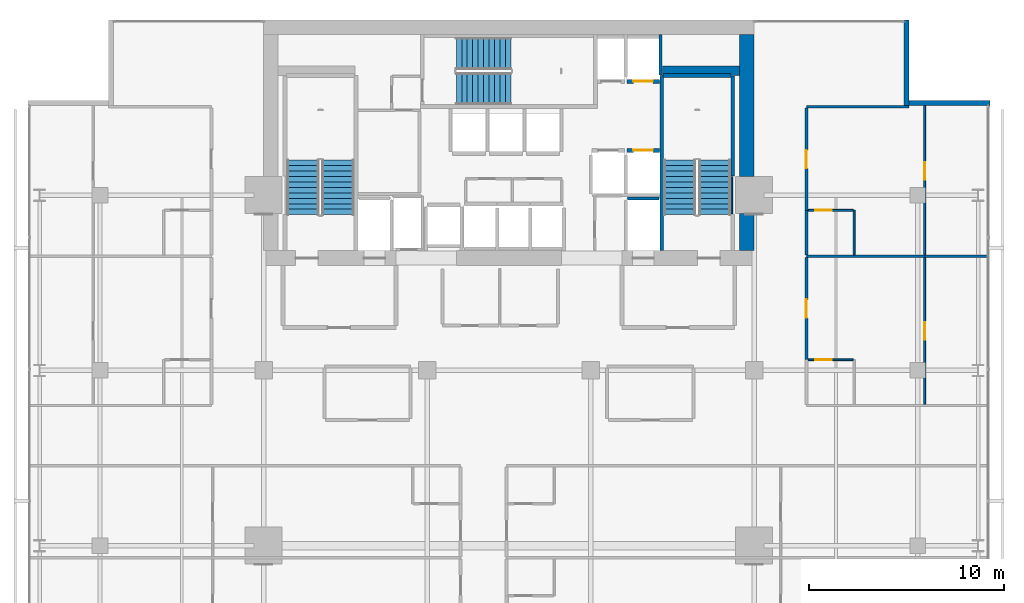
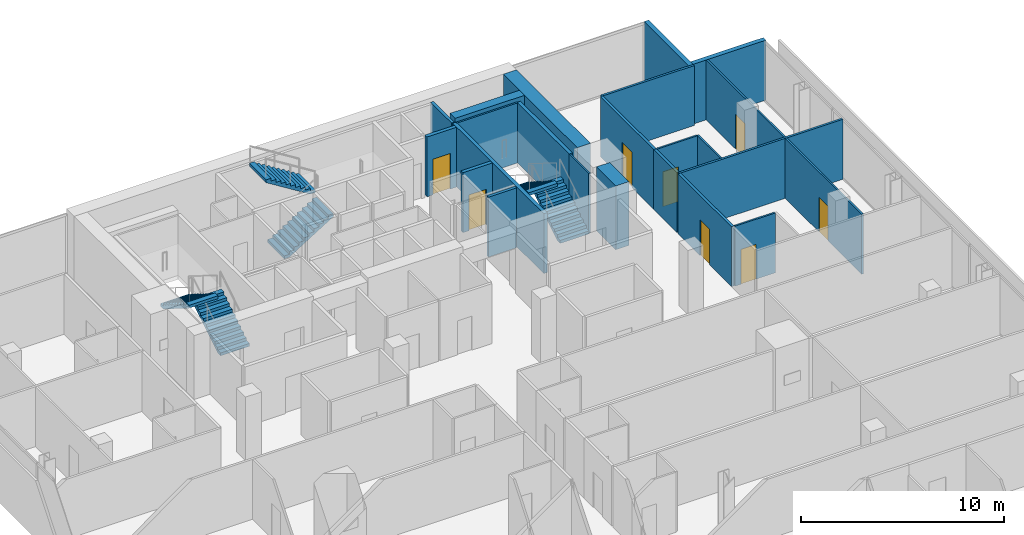
# One storey, part 31 of 34: 23 walls, 8 doors, 6 stair flights, 8 openings, 3 elements without a shape of their own.
"""IFC4 building model written with IfcOpenShell, lengths in metres."""

from ifc_helpers import new_model, si_unit, direction, frame, frame_2d, origin, place, context, subcontext, project, spatial, polyline, rectangle, outline, extrude, material, layer, layer_set, type_object, element, fill, aggregate, save


model = new_model("IFC4")

# Units and contexts
model_context = context("Model", 3, precision=1e-05, world=origin(), true_north=direction((0.0, 1.0)))
body_context = subcontext(model_context, "Body", "Model", "MODEL_VIEW")
ifc_project = project(units=[si_unit("LENGTHUNIT", "METRE"), si_unit("AREAUNIT", "SQUARE_METRE"), si_unit("VOLUMEUNIT", "CUBIC_METRE"), si_unit("PLANEANGLEUNIT", "RADIAN"), si_unit("MASSUNIT", "GRAM", prefix="KILO")], contexts=[model_context])

# Site, building, storey
site_placement = place(None, origin())
site = spatial("IfcSite", under=ifc_project, at=site_placement, CompositionType="ELEMENT")
building_placement = place(site_placement, origin())
building = spatial("IfcBuilding", under=site, at=building_placement, Name="Maruvema Waterfront Hotel and Observation Tower", CompositionType="ELEMENT")
storey_placement = place(building_placement, frame((0.0, 0.0, 146.64990234375)))
storey = spatial("IfcBuildingStorey", under=building, at=storey_placement, Name="L35", CompositionType="ELEMENT", Elevation=146.64990234375)

# Wall, opening, door
ifc_material_1 = material(Name="Twin-stud acoustic gypsum drywall", Category="gypsum")
ifc_layer_1 = layer(ifc_material_1, 0.14990234375, Name="Acoustic Corridor and Suite Demising Wall 150 mm")
ifc_layer_set_1 = layer_set([ifc_layer_1], Name="Twin-stud acoustic gypsum drywall")
wall_type_1 = type_object("IfcWallType", Name="Acoustic Corridor and Suite Demising Wall 150 mm", PredefinedType="PARTITIONING", material=ifc_layer_set_1)
wall_1_placement = place(storey_placement, frame((53.080078125, 36.550048828125, 0.0), z_axis=(0.0, 0.0, 1.0), x_axis=(0.0, 1.0, 0.0)))
wall_1 = element("IfcWall", 1, at=wall_1_placement, inside=storey, type_object=wall_type_1, Name="L35 Room L35-NE1 Corridor Wall 112", PredefinedType="PARTITIONING", context=body_context, shape_type="SweptSolid", body=[
    extrude(rectangle(XDim=5.2587890625, YDim=0.14990234375, at=frame_2d((2.62939453125, 0.0))), origin(), (0.0, 0.0, 1.0), 3.610107421875),
])
opening_1_placement = place(wall_1_placement, frame((2.154296875, 0.0, 0.0)))
opening_1 = element("IfcOpeningElement", 2, at=opening_1_placement, cuts=wall_1, Name="Opening DR-095", PredefinedType="OPENING", context=body_context, shape_type="SweptSolid", body=[
    extrude(rectangle(XDim=0.949951171875, YDim=2.14990234375, at=frame_2d((0.47509765625, 1.074951171875))), frame((0.0, 0.0849609375, 0.0), z_axis=(0.0, -1.0, 0.0), x_axis=(1.0, 0.0, 0.0)), (0.0, 0.0, 1.0), 0.169921875),
])
ifc_material_2 = material(Name="Acoustic solid-core hardwood timber leaf", Category="wood")
door_type_1 = type_object("IfcDoorType", Name="Guestroom Entrance Fire Door 950x2150 mm", OperationType="NOTDEFINED", PredefinedType="DOOR", material=ifc_material_2)
door_1_placement = place(opening_1_placement, frame((0.949951171875, 0.0, 0.0), z_axis=(0.0, 0.0, 1.0), x_axis=(-1.0, 0.0, 0.0)))
door_1 = element("IfcDoor", 3, at=door_1_placement, inside=storey, type_object=door_type_1, Name="L35 Room L35-NE1 Entrance Door", OperationType="SINGLE_SWING_RIGHT", OverallHeight=2.14990234375, OverallWidth=0.949951171875, PredefinedType="DOOR", context=body_context, shape_type="SweptSolid", body=[
    extrude(rectangle(XDim=0.949951171875, YDim=2.14990234375, at=frame_2d((0.47509765625, 1.074951171875))), frame((0.0, 0.02490234375, 0.0), z_axis=(0.0, -1.0, 0.0), x_axis=(1.0, 0.0, 0.0)), (0.0, 0.0, 1.0), 0.050048828125),
])
fill(opening_1, door_1)

# Wall
wall_2_placement = place(storey_placement, frame((53.080078125, 41.9287109375, 0.0), z_axis=(0.0, 0.0, 1.0), x_axis=(0.0, 1.0, 0.0)))
element("IfcWall", 4, at=wall_2_placement, inside=storey, type_object=wall_type_1, Name="L35 Bath L35-NE2 Wall 123", PredefinedType="PARTITIONING", context=body_context, shape_type="SweptSolid", body=[
    extrude(rectangle(XDim=2.2900390625, YDim=0.14990234375, at=frame_2d((1.14501953125, 0.0))), origin(), (0.0, 0.0, 1.0), 3.610107421875),
])

# Wall, opening, door
wall_3_placement = place(storey_placement, frame((53.080078125, 44.21875, 0.0), z_axis=(0.0, 0.0, 1.0), x_axis=(0.0, 1.0, 0.0)))
wall_3 = element("IfcWall", 5, at=wall_3_placement, inside=storey, type_object=wall_type_1, Name="L35 Room L35-NE2 Corridor Wall 124", PredefinedType="PARTITIONING", context=body_context, shape_type="SweptSolid", body=[
    extrude(rectangle(XDim=5.2587890625, YDim=0.14990234375, at=frame_2d((2.62939453125, 0.0))), origin(), (0.0, 0.0, 1.0), 3.610107421875),
])
opening_2_placement = place(wall_3_placement, frame((2.154296875, 0.0, 0.0)))
opening_2 = element("IfcOpeningElement", 6, at=opening_2_placement, cuts=wall_3, Name="Opening DR-095", PredefinedType="OPENING", context=body_context, shape_type="SweptSolid", body=[
    extrude(rectangle(XDim=0.949951171875, YDim=2.14990234375, at=frame_2d((0.47509765625, 1.074951171875))), frame((0.0, 0.0849609375, 0.0), z_axis=(0.0, -1.0, 0.0), x_axis=(1.0, 0.0, 0.0)), (0.0, 0.0, 1.0), 0.169921875),
])
door_2_placement = place(opening_2_placement, frame((0.949951171875, 0.0, 0.0), z_axis=(0.0, 0.0, 1.0), x_axis=(-1.0, 0.0, 0.0)))
door_2 = element("IfcDoor", 7, at=door_2_placement, inside=storey, type_object=door_type_1, Name="L35 Room L35-NE2 Entrance Door", OperationType="SINGLE_SWING_RIGHT", OverallHeight=2.14990234375, OverallWidth=0.949951171875, PredefinedType="DOOR", context=body_context, shape_type="SweptSolid", body=[
    extrude(rectangle(XDim=0.949951171875, YDim=2.14990234375, at=frame_2d((0.47509765625, 1.074951171875))), frame((0.0, 0.02490234375, 0.0), z_axis=(0.0, -1.0, 0.0), x_axis=(1.0, 0.0, 0.0)), (0.0, 0.0, 1.0), 0.050048828125),
])
fill(opening_2, door_2)

# Walls
ifc_material_3 = material(Name="Precast concrete C45/55", Category="concrete")
ifc_layer_2 = layer(ifc_material_3, 0.199951171875, Name="Core Shaft and Stairwell Enclosure Wall 200 mm")
ifc_layer_set_2 = layer_set([ifc_layer_2], Name="Precast concrete C45/55")
wall_type_2 = type_object("IfcWallType", Name="Core Shaft and Stairwell Enclosure Wall 200 mm", PredefinedType="SOLIDWALL", material=ifc_layer_set_2)
wall_4_placement = place(storey_placement, frame((45.64990234375, 42.14990234375, 0.0), z_axis=(0.0, 0.0, 1.0), x_axis=(0.0, 1.0, 0.0)))
element("IfcWall", 8, at=wall_4_placement, inside=storey, type_object=wall_type_2, Name="L35 Stairwell ST-03 West Shaft Wall", PredefinedType="SOLIDWALL", context=body_context, shape_type="SweptSolid", body=[
    extrude(rectangle(XDim=9.0, YDim=0.199951171875, at=frame_2d((4.5, 0.0))), origin(), (0.0, 0.0, 1.0), 3.610107421875),
])
wall_5_placement = place(storey_placement, frame((49.300048828125, 45.97998046875, 0.0), z_axis=(0.0, 0.0, 1.0), x_axis=(0.0, 1.0, 0.0)))
element("IfcWall", 9, at=wall_5_placement, inside=storey, type_object=wall_type_2, Name="L35 Stairwell ST-03 Shaft Lining Wall", PredefinedType="SOLIDWALL", context=body_context, shape_type="SweptSolid", body=[
    extrude(rectangle(XDim=5.14013671875, YDim=0.199951171875, at=frame_2d((2.570068359375, 0.0))), origin(), (0.0, 0.0, 1.0), 3.610107421875),
])
wall_6_placement = place(storey_placement, frame((45.719970703125, 51.14990234375, 0.0), z_axis=(0.0, 0.0, 1.0), x_axis=(1.0, 0.0, 0.0)))
element("IfcWall", 10, at=wall_6_placement, inside=storey, type_object=wall_type_2, Name="L35 Stairwell ST-03 Shaft Lining Wall", PredefinedType="SOLIDWALL", context=body_context, shape_type="SweptSolid", body=[
    extrude(rectangle(XDim=3.5, YDim=0.199951171875, at=frame_2d((1.75, 0.0))), origin(), (0.0, 0.0, 1.0), 3.610107421875),
])

# Wall, opening, door
wall_7_placement = place(storey_placement, frame((43.860107421875, 47.300048828125, 0.0), z_axis=(0.0, 0.0, 1.0), x_axis=(1.0, 0.0, 0.0)))
wall_7 = element("IfcWall", 11, at=wall_7_placement, inside=storey, type_object=wall_type_2, Name="L35 Lift LF-06 Hoistway Front Wall", PredefinedType="SOLIDWALL", context=body_context, shape_type="SweptSolid", body=[
    extrude(rectangle(XDim=1.679931640625, YDim=0.199951171875, at=frame_2d((0.83984375, 0.0))), origin(), (0.0, 0.0, 1.0), 3.610107421875),
])
opening_3_placement = place(wall_7_placement, frame((0.340087890625, 0.0, 0.0)))
opening_3 = element("IfcOpeningElement", 12, at=opening_3_placement, cuts=wall_7, Name="Opening LD-01", PredefinedType="OPENING", context=body_context, shape_type="SweptSolid", body=[
    extrude(rectangle(XDim=1.0, YDim=2.14990234375, at=frame_2d((0.5, 1.074951171875))), frame((0.0, 0.10986328125, 0.0), z_axis=(0.0, -1.0, 0.0), x_axis=(1.0, 0.0, 0.0)), (0.0, 0.0, 1.0), 0.219970703125),
])
ifc_material_4 = material(Name="Brushed stainless steel Grade 316", Category="steel")
door_type_2 = type_object("IfcDoorType", Name="Passenger Lift Sliding Landing Door 1000x2150 mm", OperationType="SLIDING_TO_LEFT", PredefinedType="DOOR", material=ifc_material_4)
door_3_placement = place(opening_3_placement, origin())
door_3 = element("IfcDoor", 13, at=door_3_placement, inside=storey, type_object=door_type_2, Name="L35 Lift LF-06 Sliding Landing Door", OperationType="SLIDING_TO_LEFT", OverallHeight=2.14990234375, OverallWidth=1.0, PredefinedType="DOOR", context=body_context, shape_type="SweptSolid", body=[
    extrude(rectangle(XDim=1.0, YDim=2.14990234375, at=frame_2d((0.5, 1.074951171875))), frame((0.0, 0.02490234375, 0.0), z_axis=(0.0, -1.0, 0.0), x_axis=(1.0, 0.0, 0.0)), (0.0, 0.0, 1.0), 0.050048828125),
])
fill(opening_3, door_3)

wall_8_placement = place(storey_placement, frame((43.860107421875, 50.85009765625, 0.0), z_axis=(0.0, 0.0, 1.0), x_axis=(1.0, 0.0, 0.0)))
wall_8 = element("IfcWall", 14, at=wall_8_placement, inside=storey, type_object=wall_type_2, Name="L35 Lift LF-08 Hoistway Front Wall", PredefinedType="SOLIDWALL", context=body_context, shape_type="SweptSolid", body=[
    extrude(rectangle(XDim=1.679931640625, YDim=0.199951171875, at=frame_2d((0.83984375, 0.0))), origin(), (0.0, 0.0, 1.0), 3.610107421875),
])
opening_4_placement = place(wall_8_placement, frame((0.340087890625, 0.0, 0.0)))
opening_4 = element("IfcOpeningElement", 15, at=opening_4_placement, cuts=wall_8, Name="Opening LD-01", PredefinedType="OPENING", context=body_context, shape_type="SweptSolid", body=[
    extrude(rectangle(XDim=1.0, YDim=2.14990234375, at=frame_2d((0.5, 1.074951171875))), frame((0.0, 0.10986328125, 0.0), z_axis=(0.0, -1.0, 0.0), x_axis=(1.0, 0.0, 0.0)), (0.0, 0.0, 1.0), 0.219970703125),
])
door_4_placement = place(opening_4_placement, frame((1.0, 0.0, 0.0), z_axis=(0.0, 0.0, 1.0), x_axis=(-1.0, 0.0, 0.0)))
door_4 = element("IfcDoor", 16, at=door_4_placement, inside=storey, type_object=door_type_2, Name="L35 Lift LF-08 Sliding Landing Door", OperationType="SLIDING_TO_LEFT", OverallHeight=2.14990234375, OverallWidth=1.0, PredefinedType="DOOR", context=body_context, shape_type="SweptSolid", body=[
    extrude(rectangle(XDim=1.0, YDim=2.14990234375, at=frame_2d((0.5, 1.074951171875))), frame((0.0, 0.02490234375, 0.0), z_axis=(0.0, -1.0, 0.0), x_axis=(1.0, 0.0, 0.0)), (0.0, 0.0, 1.0), 0.050048828125),
])
fill(opening_4, door_4)

# Walls
ifc_material_5 = material(Name="Concrete C70/85", Category="concrete")
ifc_layer_3 = layer(ifc_material_5, 0.5, Name="Core Shear Wall 500 mm")
ifc_layer_set_3 = layer_set([ifc_layer_3], Name="Concrete C70/85")
wall_type_3 = type_object("IfcWallType", Name="Core Shear Wall 500 mm", PredefinedType="SHEAR", material=ifc_layer_set_3)
wall_9_placement = place(storey_placement, frame((45.699951171875, 51.39990234375, 0.0), z_axis=(0.0, 0.0, 1.0), x_axis=(1.0, 0.0, 0.0)))
element("IfcWall", 17, at=wall_9_placement, inside=storey, type_object=wall_type_3, Name="L35 Internal Core Shear Wall NE 500 mm", PredefinedType="SHEAR", context=body_context, shape_type="SweptSolid", body=[
    extrude(rectangle(XDim=3.949951171875, YDim=0.5, at=frame_2d((1.97509765625, 0.0))), origin(), (0.0, 0.0, 1.0), 3.85009765625),
])
ifc_material_6 = material(Name="Concrete C70/85", Category="concrete")
ifc_layer_4 = layer(ifc_material_6, 0.75, Name="Core Shear Wall 750 mm")
ifc_layer_set_4 = layer_set([ifc_layer_4], Name="Concrete C70/85")
wall_type_4 = type_object("IfcWallType", Name="Core Shear Wall 750 mm", PredefinedType="SHEAR", material=ifc_layer_set_4)
wall_10_placement = place(storey_placement, frame((50.02490234375, 42.14990234375, 0.0), z_axis=(0.0, 0.0, 1.0), x_axis=(0.0, 1.0, 0.0)))
element("IfcWall", 18, at=wall_10_placement, inside=storey, type_object=wall_type_4, Name="L35 East-South Core Shear Wall", PredefinedType="SHEAR", context=body_context, shape_type="SweptSolid", body=[
    extrude(rectangle(XDim=1.900146484375, YDim=0.75, at=frame_2d((0.9501953125, 0.0))), origin(), (0.0, 0.0, 1.0), 3.85009765625),
])
wall_11_placement = place(storey_placement, frame((50.02490234375, 45.949951171875, 0.0), z_axis=(0.0, 0.0, 1.0), x_axis=(0.0, 1.0, 0.0)))
element("IfcWall", 19, at=wall_11_placement, inside=storey, type_object=wall_type_4, Name="L35 East-North Core Shear Wall", PredefinedType="SHEAR", context=body_context, shape_type="SweptSolid", body=[
    extrude(rectangle(XDim=7.300048828125, YDim=0.75, at=frame_2d((3.64990234375, 0.0))), origin(), (0.0, 0.0, 1.0), 3.85009765625),
])

# Wall, opening, door
ifc_material_7 = material(Name="Moisture-resistant cement-board drywall", Category="gypsum")
ifc_layer_5 = layer(ifc_material_7, 0.10009765625, Name="En-Suite Moisture-Resistant Partition 100 mm")
ifc_layer_set_5 = layer_set([ifc_layer_5], Name="Moisture-resistant cement-board drywall")
wall_type_5 = type_object("IfcWallType", Name="En-Suite Moisture-Resistant Partition 100 mm", PredefinedType="PARTITIONING", material=ifc_layer_set_5)
wall_12_placement = place(storey_placement, frame((53.179931640625, 36.550048828125, 0.0), z_axis=(0.0, 0.0, 1.0), x_axis=(1.0, 0.0, 0.0)))
wall_12 = element("IfcWall", 20, at=wall_12_placement, inside=storey, type_object=wall_type_5, Name="L35 En-Suite L35-NE1 N 114", PredefinedType="PARTITIONING", context=body_context, shape_type="SweptSolid", body=[
    extrude(rectangle(XDim=2.300048828125, YDim=0.10009765625, at=frame_2d((1.14990234375, 0.0))), origin(), (0.0, 0.0, 1.0), 3.610107421875),
])
opening_5_placement = place(wall_12_placement, frame((0.35009765625, 0.0, 0.0)))
opening_5 = element("IfcOpeningElement", 21, at=opening_5_placement, cuts=wall_12, Name="Opening DR-085", PredefinedType="OPENING", context=body_context, shape_type="SweptSolid", body=[
    extrude(rectangle(XDim=0.85009765625, YDim=2.10009765625, at=frame_2d((0.425048828125, 1.050048828125))), frame((0.0, 0.06005859375, 0.0), z_axis=(0.0, -1.0, 0.0), x_axis=(1.0, 0.0, 0.0)), (0.0, 0.0, 1.0), 0.1201171875),
])
ifc_material_8 = material(Name="Moisture-resistant solid timber leaf", Category="wood")
door_type_3 = type_object("IfcDoorType", Name="En-Suite Bathroom Door 850x2100 mm", OperationType="NOTDEFINED", PredefinedType="DOOR", material=ifc_material_8)
door_5_placement = place(opening_5_placement, origin())
door_5 = element("IfcDoor", 22, at=door_5_placement, inside=storey, type_object=door_type_3, Name="L35 En-Suite L35-NE1 Door", OperationType="SINGLE_SWING_LEFT", OverallHeight=2.10009765625, OverallWidth=0.85009765625, PredefinedType="DOOR", context=body_context, shape_type="SweptSolid", body=[
    extrude(rectangle(XDim=0.85009765625, YDim=2.10009765625, at=frame_2d((0.425048828125, 1.050048828125))), frame((0.0, 0.02490234375, 0.0), z_axis=(0.0, -1.0, 0.0), x_axis=(1.0, 0.0, 0.0)), (0.0, 0.0, 1.0), 0.050048828125),
])
fill(opening_5, door_5)

wall_13_placement = place(storey_placement, frame((59.154296875, 34.260009765625, 0.0), z_axis=(0.0, 0.0, 1.0), x_axis=(0.0, 1.0, 0.0)))
wall_13 = element("IfcWall", 23, at=wall_13_placement, inside=storey, type_object=wall_type_5, Name="L35 Suite L35-NE1 Split 115", PredefinedType="PARTITIONING", context=body_context, shape_type="SweptSolid", body=[
    extrude(rectangle(XDim=7.548828125, YDim=0.10009765625, at=frame_2d((3.7744140625, 0.0))), origin(), (0.0, 0.0, 1.0), 3.610107421875),
])
opening_6_placement = place(wall_13_placement, frame((3.324462890625, 0.0, 0.0)))
opening_6 = element("IfcOpeningElement", 24, at=opening_6_placement, cuts=wall_13, Name="Opening DR-090", PredefinedType="OPENING", context=body_context, shape_type="SweptSolid", body=[
    extrude(rectangle(XDim=0.89990234375, YDim=2.10009765625, at=frame_2d((0.449951171875, 1.050048828125))), frame((0.0, 0.06005859375, 0.0), z_axis=(0.0, -1.0, 0.0), x_axis=(1.0, 0.0, 0.0)), (0.0, 0.0, 1.0), 0.1201171875),
])
ifc_material_9 = material(Name="Solid-core lacquered timber leaf", Category="wood")
door_type_4 = type_object("IfcDoorType", Name="Accessible Toilet and Room Door 900x2100 mm", OperationType="NOTDEFINED", PredefinedType="DOOR", material=ifc_material_9)
door_6_placement = place(opening_6_placement, frame((0.89990234375, 0.0, 0.0), z_axis=(0.0, 0.0, 1.0), x_axis=(-1.0, 0.0, 0.0)))
door_6 = element("IfcDoor", 25, at=door_6_placement, inside=storey, type_object=door_type_4, Name="L35 Suite L35-NE1 Bedroom Door", OperationType="SINGLE_SWING_LEFT", OverallHeight=2.10009765625, OverallWidth=0.89990234375, PredefinedType="DOOR", context=body_context, shape_type="SweptSolid", body=[
    extrude(rectangle(XDim=0.89990234375, YDim=2.10009765625, at=frame_2d((0.449951171875, 1.050048828125))), frame((0.0, 0.02490234375, 0.0), z_axis=(0.0, -1.0, 0.0), x_axis=(1.0, 0.0, 0.0)), (0.0, 0.0, 1.0), 0.050048828125),
])
fill(opening_6, door_6)

# Wall
wall_14_placement = place(storey_placement, frame((55.530029296875, 41.9287109375, 0.0), z_axis=(0.0, 0.0, 1.0), x_axis=(0.0, 1.0, 0.0)))
element("IfcWall", 26, at=wall_14_placement, inside=storey, type_object=wall_type_5, Name="L35 En-Suite L35-NE2 E 125", PredefinedType="PARTITIONING", context=body_context, shape_type="SweptSolid", body=[
    extrude(rectangle(XDim=2.2900390625, YDim=0.10009765625, at=frame_2d((1.14501953125, 0.0))), origin(), (0.0, 0.0, 1.0), 3.610107421875),
])

# Wall, opening, door
wall_15_placement = place(storey_placement, frame((53.179931640625, 44.21875, 0.0), z_axis=(0.0, 0.0, 1.0), x_axis=(1.0, 0.0, 0.0)))
wall_15 = element("IfcWall", 27, at=wall_15_placement, inside=storey, type_object=wall_type_5, Name="L35 En-Suite L35-NE2 N 126", PredefinedType="PARTITIONING", context=body_context, shape_type="SweptSolid", body=[
    extrude(rectangle(XDim=2.300048828125, YDim=0.10009765625, at=frame_2d((1.14990234375, 0.0))), origin(), (0.0, 0.0, 1.0), 3.610107421875),
])
opening_7_placement = place(wall_15_placement, frame((0.35009765625, 0.0, 0.0)))
opening_7 = element("IfcOpeningElement", 28, at=opening_7_placement, cuts=wall_15, Name="Opening DR-085", PredefinedType="OPENING", context=body_context, shape_type="SweptSolid", body=[
    extrude(rectangle(XDim=0.85009765625, YDim=2.10009765625, at=frame_2d((0.425048828125, 1.050048828125))), frame((0.0, 0.06005859375, 0.0), z_axis=(0.0, -1.0, 0.0), x_axis=(1.0, 0.0, 0.0)), (0.0, 0.0, 1.0), 0.1201171875),
])
door_7_placement = place(opening_7_placement, origin())
door_7 = element("IfcDoor", 29, at=door_7_placement, inside=storey, type_object=door_type_3, Name="L35 En-Suite L35-NE2 Door", OperationType="SINGLE_SWING_LEFT", OverallHeight=2.10009765625, OverallWidth=0.85009765625, PredefinedType="DOOR", context=body_context, shape_type="SweptSolid", body=[
    extrude(rectangle(XDim=0.85009765625, YDim=2.10009765625, at=frame_2d((0.425048828125, 1.050048828125))), frame((0.0, 0.02490234375, 0.0), z_axis=(0.0, -1.0, 0.0), x_axis=(1.0, 0.0, 0.0)), (0.0, 0.0, 1.0), 0.050048828125),
])
fill(opening_7, door_7)

wall_16_placement = place(storey_placement, frame((59.154296875, 41.9287109375, 0.0), z_axis=(0.0, 0.0, 1.0), x_axis=(0.0, 1.0, 0.0)))
wall_16 = element("IfcWall", 30, at=wall_16_placement, inside=storey, type_object=wall_type_5, Name="L35 Suite L35-NE2 Split 127", PredefinedType="PARTITIONING", context=body_context, shape_type="SweptSolid", body=[
    extrude(rectangle(XDim=7.668701171875, YDim=0.10009765625, at=frame_2d((3.83447265625, 0.0))), origin(), (0.0, 0.0, 1.0), 3.610107421875),
])
opening_8_placement = place(wall_16_placement, frame((3.8642578125, 0.0, 0.0)))
opening_8 = element("IfcOpeningElement", 31, at=opening_8_placement, cuts=wall_16, Name="Opening DR-090", PredefinedType="OPENING", context=body_context, shape_type="SweptSolid", body=[
    extrude(rectangle(XDim=0.89990234375, YDim=2.10009765625, at=frame_2d((0.449951171875, 1.050048828125))), frame((0.0, 0.06005859375, 0.0), z_axis=(0.0, -1.0, 0.0), x_axis=(1.0, 0.0, 0.0)), (0.0, 0.0, 1.0), 0.1201171875),
])
door_8_placement = place(opening_8_placement, frame((0.89990234375, 0.0, 0.0), z_axis=(0.0, 0.0, 1.0), x_axis=(-1.0, 0.0, 0.0)))
door_8 = element("IfcDoor", 32, at=door_8_placement, inside=storey, type_object=door_type_4, Name="L35 Suite L35-NE2 Bedroom Door", OperationType="SINGLE_SWING_LEFT", OverallHeight=2.10009765625, OverallWidth=0.89990234375, PredefinedType="DOOR", context=body_context, shape_type="SweptSolid", body=[
    extrude(rectangle(XDim=0.89990234375, YDim=2.10009765625, at=frame_2d((0.449951171875, 1.050048828125))), frame((0.0, 0.02490234375, 0.0), z_axis=(0.0, -1.0, 0.0), x_axis=(1.0, 0.0, 0.0)), (0.0, 0.0, 1.0), 0.050048828125),
])
fill(opening_8, door_8)

# Walls
ifc_material_10 = material(Name="Precast concrete C45/55 with honed Pernambuco granite facing", Category="masonry")
ifc_layer_6 = layer(ifc_material_10, 0.260009765625, Name="Exterior Granite Clad Spandrel and Pier Wall 260 mm")
ifc_layer_set_6 = layer_set([ifc_layer_6], Name="Precast concrete C45/55 with honed Pernambuco granite facing")
wall_type_6 = type_object("IfcWallType", Name="Exterior Granite Clad Spandrel and Pier Wall 260 mm", PredefinedType="SOLIDWALL", material=ifc_layer_set_6)
for number, where, z_axis, x_axis, name in (
    (33, (58.22998046875, 54.0, 0.0), (0.0, 0.0, 1.0), (0.0, -1.0, 0.0), "L35 Corner Notch Granite Pier Wall NE1"),
    (34, (58.10009765625, 49.72998046875, 0.0), (0.0, 0.0, 1.0), (1.0, 0.0, 0.0), "L35 Corner Notch Granite Pier Wall NE2"),
):
    element("IfcWall", number, at=place(storey_placement, frame(where, z_axis=z_axis, x_axis=x_axis)), inside=storey, type_object=wall_type_6, Name=name, PredefinedType="SOLIDWALL", context=body_context, shape_type="SweptSolid", body=[
        extrude(rectangle(XDim=4.39990234375, YDim=0.260009765625, at=frame_2d((2.199951171875, 0.0))), origin(), (0.0, 0.0, 1.0), 3.610107421875),
    ])
ifc_material_11 = material(Name="Acoustic gypsum plasterboard drywall", Category="gypsum")
ifc_layer_7 = layer(ifc_material_11, 0.125, Name="Guestroom Acoustic Demising Wall 125 mm")
ifc_layer_set_7 = layer_set([ifc_layer_7], Name="Acoustic gypsum plasterboard drywall")
wall_type_7 = type_object("IfcWallType", Name="Guestroom Acoustic Demising Wall 125 mm", PredefinedType="PARTITIONING", material=ifc_layer_set_7)
wall_17_placement = place(storey_placement, frame((53.080078125, 49.53759765625, 0.0), z_axis=(0.0, 0.0, 1.0), x_axis=(1.0, 0.0, 0.0)))
element("IfcWall", 35, at=wall_17_placement, inside=storey, type_object=wall_type_7, Name="L35 Z2 NE Top End 105", PredefinedType="PARTITIONING", context=body_context, shape_type="SweptSolid", body=[
    extrude(rectangle(XDim=5.280029296875, YDim=0.125, at=frame_2d((2.64013671875, 0.0))), origin(), (0.0, 0.0, 1.0), 3.610107421875),
])
wall_18_placement = place(storey_placement, frame((53.080078125, 41.868896484375, 0.0), z_axis=(0.0, 0.0, 1.0), x_axis=(1.0, 0.0, 0.0)))
element("IfcWall", 36, at=wall_18_placement, inside=storey, type_object=wall_type_7, Name="L35 Z2 NE Demising 2 117", PredefinedType="PARTITIONING", context=body_context, shape_type="SweptSolid", body=[
    extrude(rectangle(XDim=9.31982421875, YDim=0.125, at=frame_2d((4.659912109375, 0.0))), origin(), (0.0, 0.0, 1.0), 3.610107421875),
])
ifc_material_12 = material(Name="Precast concrete C45/55", Category="concrete")
ifc_layer_8 = layer(ifc_material_12, 0.159912109375, Name="Lift Hoistway Divider Wall 160 mm")
ifc_layer_set_8 = layer_set([ifc_layer_8], Name="Precast concrete C45/55")
wall_type_8 = type_object("IfcWallType", Name="Lift Hoistway Divider Wall 160 mm", PredefinedType="SOLIDWALL", material=ifc_layer_set_8)
wall_19_placement = place(storey_placement, frame((43.89990234375, 44.830078125, 0.0), z_axis=(0.0, 0.0, 1.0), x_axis=(1.0, 0.0, 0.0)))
element("IfcWall", 37, at=wall_19_placement, inside=storey, type_object=wall_type_8, Name="L35 Lift FL-02 Rear Hoistway Wall", PredefinedType="SOLIDWALL", context=body_context, shape_type="SweptSolid", body=[
    extrude(rectangle(XDim=1.60009765625, YDim=0.159912109375, at=frame_2d((0.800048828125, 0.0))), origin(), (0.0, 0.0, 1.0), 3.610107421875),
])
wall_20_placement = place(storey_placement, frame((45.590087890625, 51.179931640625, 0.0), z_axis=(0.0, 0.0, 1.0), x_axis=(0.0, 1.0, 0.0)))
element("IfcWall", 38, at=wall_20_placement, inside=storey, type_object=wall_type_8, Name="L35 Hoistway Divider Wall", PredefinedType="SOLIDWALL", context=body_context, shape_type="SweptSolid", body=[
    extrude(rectangle(XDim=2.070068359375, YDim=0.159912109375, at=frame_2d((1.03515625, 0.0))), origin(), (0.0, 0.0, 1.0), 3.610107421875),
])
ifc_material_13 = material(Name="Precast concrete C45/55", Category="concrete")
ifc_layer_9 = layer(ifc_material_13, 0.10009765625, Name="Stairwell Stringer Cheek Wall 100 mm")
ifc_layer_set_9 = layer_set([ifc_layer_9], Name="Precast concrete C45/55")
wall_type_9 = type_object("IfcWallType", Name="Stairwell Stringer Cheek Wall 100 mm", PredefinedType="SOLIDWALL", material=ifc_layer_set_9)
wall_21_placement = place(storey_placement, frame((49.248046875, 44.0400390625, 0.0), z_axis=(0.0, 0.0, 1.0), x_axis=(0.0, 1.0, 0.0)))
element("IfcWall", 39, at=wall_21_placement, inside=storey, type_object=wall_type_9, Name="L35 Stairwell ST-03 Mega-Column Cheek Wall", PredefinedType="SOLIDWALL", context=body_context, shape_type="SweptSolid", body=[
    extrude(rectangle(XDim=1.919921875, YDim=0.10009765625, at=frame_2d((0.9599609375, 0.0))), origin(), (0.0, 0.0, 1.0), 3.610107421875),
])

# Stair, stair flights
ifc_material_14 = material(Name="Concrete C50/60", Category="concrete")
stair_type = type_object("IfcStairType", Name="Dogleg Exit Stair 1650 mm (22R x 175.0 mm)", PredefinedType="HALF_TURN_STAIR", material=ifc_material_14)
stair_1_placement = place(storey_placement, origin())
stair_1 = element("IfcStair", 40, at=stair_1_placement, inside=storey, type_object=stair_type, Name="L35 ST-01", PredefinedType="HALF_TURN_STAIR")
ifc_material_15 = material(Name="Concrete C50/60", Category="concrete")
stair_flight_type = type_object("IfcStairFlightType", Name="Reinforced Concrete Stair Flight 1650 mm (11R x 175.0 mm)", PredefinedType="STRAIGHT", material=ifc_material_15)
stair_flight_1_placement = place(storey_placement, frame((29.02490234375, 44.0, 0.0), z_axis=(0.0, 0.0, 1.0), x_axis=(0.0, 1.0, 0.0)))
stair_flight_1 = element("IfcStairFlight", 41, at=stair_flight_1_placement, type_object=stair_flight_type, Name="ST-01 flight 1", NumberOfRisers=11, NumberOfTreads=10, PredefinedType="STRAIGHT", RiserHeight=0.175, TreadLength=0.28, context=body_context, shape_type="SweptSolid", body=[
    extrude(outline(polyline([(0.0, 0.0), (0.0, 0.175048828125), (0.280029296875, 0.175048828125), (0.280029296875, 0.35009765625), (0.56005859375, 0.35009765625), (0.56005859375, 0.52490234375), (0.840087890625, 0.52490234375), (0.840087890625, 0.699951171875), (1.1201171875, 0.699951171875), (1.1201171875, 0.875), (1.39990234375, 0.875), (1.39990234375, 1.050048828125), (1.679931640625, 1.050048828125), (1.679931640625, 1.22509765625), (1.9599609375, 1.22509765625), (1.9599609375, 1.39990234375), (2.239990234375, 1.39990234375), (2.239990234375, 1.574951171875), (2.52001953125, 1.574951171875), (2.52001953125, 1.75), (2.800048828125, 1.75), (2.800048828125, 1.925048828125), (2.800048828125, 1.5732421875), (0.28271484375, 0.0), (0.0, 0.0)])), frame((0.0, 0.824951171875, 0.0), z_axis=(0.0, -1.0, 0.0), x_axis=(1.0, 0.0, 0.0)), (0.0, 0.0, 1.0), 1.64990234375),
])
stair_flight_2_placement = place(storey_placement, frame((27.22509765625, 46.800048828125, 1.925048828125), z_axis=(0.0, 0.0, 1.0), x_axis=(0.0, -1.0, 0.0)))
stair_flight_2 = element("IfcStairFlight", 42, at=stair_flight_2_placement, type_object=stair_flight_type, Name="ST-01 flight 2", NumberOfRisers=11, NumberOfTreads=10, PredefinedType="STRAIGHT", RiserHeight=0.175, TreadLength=0.28, context=body_context, shape_type="SweptSolid", body=[
    extrude(outline(polyline([(0.0, 0.0), (0.0, 0.175048828125), (0.280029296875, 0.175048828125), (0.280029296875, 0.35009765625), (0.56005859375, 0.35009765625), (0.56005859375, 0.52490234375), (0.840087890625, 0.52490234375), (0.840087890625, 0.699951171875), (1.1201171875, 0.699951171875), (1.1201171875, 0.875), (1.39990234375, 0.875), (1.39990234375, 1.050048828125), (1.679931640625, 1.050048828125), (1.679931640625, 1.22509765625), (1.9599609375, 1.22509765625), (1.9599609375, 1.39990234375), (2.239990234375, 1.39990234375), (2.239990234375, 1.574951171875), (2.52001953125, 1.574951171875), (2.52001953125, 1.75), (2.800048828125, 1.75), (2.800048828125, 1.925048828125), (2.800048828125, 1.5732421875), (0.28271484375, 0.0), (0.0, 0.0)])), frame((0.0, 0.824951171875, 0.0), z_axis=(0.0, -1.0, 0.0), x_axis=(1.0, 0.0, 0.0)), (0.0, 0.0, 1.0), 1.64990234375),
])
aggregate(stair_1, [stair_flight_1, stair_flight_2])

stair_2_placement = place(storey_placement, origin())
stair_2 = element("IfcStair", 43, at=stair_2_placement, inside=storey, type_object=stair_type, Name="L35 ST-02", PredefinedType="HALF_TURN_STAIR")
stair_flight_3_placement = place(storey_placement, frame((35.10009765625, 50.47509765625, 0.0), z_axis=(0.0, 0.0, 1.0), x_axis=(1.0, 0.0, 0.0)))
stair_flight_3 = element("IfcStairFlight", 44, at=stair_flight_3_placement, type_object=stair_flight_type, Name="ST-02 flight 1", NumberOfRisers=11, NumberOfTreads=10, PredefinedType="STRAIGHT", RiserHeight=0.175, TreadLength=0.28, context=body_context, shape_type="SweptSolid", body=[
    extrude(outline(polyline([(0.0, 0.0), (0.0, 0.175048828125), (0.280029296875, 0.175048828125), (0.280029296875, 0.35009765625), (0.56005859375, 0.35009765625), (0.56005859375, 0.52490234375), (0.840087890625, 0.52490234375), (0.840087890625, 0.699951171875), (1.1201171875, 0.699951171875), (1.1201171875, 0.875), (1.39990234375, 0.875), (1.39990234375, 1.050048828125), (1.679931640625, 1.050048828125), (1.679931640625, 1.22509765625), (1.9599609375, 1.22509765625), (1.9599609375, 1.39990234375), (2.239990234375, 1.39990234375), (2.239990234375, 1.574951171875), (2.52001953125, 1.574951171875), (2.52001953125, 1.75), (2.800048828125, 1.75), (2.800048828125, 1.925048828125), (2.800048828125, 1.5732421875), (0.28271484375, 0.0), (0.0, 0.0)])), frame((0.0, 0.824951171875, 0.0), z_axis=(0.0, -1.0, 0.0), x_axis=(1.0, 0.0, 0.0)), (0.0, 0.0, 1.0), 1.64990234375),
])
stair_flight_4_placement = place(storey_placement, frame((37.89990234375, 52.27490234375, 1.925048828125), z_axis=(0.0, 0.0, 1.0), x_axis=(-1.0, 0.0, 0.0)))
stair_flight_4 = element("IfcStairFlight", 45, at=stair_flight_4_placement, type_object=stair_flight_type, Name="ST-02 flight 2", NumberOfRisers=11, NumberOfTreads=10, PredefinedType="STRAIGHT", RiserHeight=0.175, TreadLength=0.28, context=body_context, shape_type="SweptSolid", body=[
    extrude(outline(polyline([(0.0, 0.0), (0.0, 0.175048828125), (0.280029296875, 0.175048828125), (0.280029296875, 0.35009765625), (0.56005859375, 0.35009765625), (0.56005859375, 0.52490234375), (0.840087890625, 0.52490234375), (0.840087890625, 0.699951171875), (1.1201171875, 0.699951171875), (1.1201171875, 0.875), (1.39990234375, 0.875), (1.39990234375, 1.050048828125), (1.679931640625, 1.050048828125), (1.679931640625, 1.22509765625), (1.9599609375, 1.22509765625), (1.9599609375, 1.39990234375), (2.239990234375, 1.39990234375), (2.239990234375, 1.574951171875), (2.52001953125, 1.574951171875), (2.52001953125, 1.75), (2.800048828125, 1.75), (2.800048828125, 1.925048828125), (2.800048828125, 1.5732421875), (0.28271484375, 0.0), (0.0, 0.0)])), frame((0.0, 0.824951171875, 0.0), z_axis=(0.0, -1.0, 0.0), x_axis=(1.0, 0.0, 0.0)), (0.0, 0.0, 1.0), 1.64990234375),
])
aggregate(stair_2, [stair_flight_3, stair_flight_4])

stair_3_placement = place(storey_placement, origin())
stair_3 = element("IfcStair", 46, at=stair_3_placement, inside=storey, type_object=stair_type, Name="L35 ST-03", PredefinedType="HALF_TURN_STAIR")
stair_flight_5_placement = place(storey_placement, frame((48.375, 44.0, 0.0), z_axis=(0.0, 0.0, 1.0), x_axis=(0.0, 1.0, 0.0)))
stair_flight_5 = element("IfcStairFlight", 47, at=stair_flight_5_placement, type_object=stair_flight_type, Name="ST-03 flight 1", NumberOfRisers=11, NumberOfTreads=10, PredefinedType="STRAIGHT", RiserHeight=0.175, TreadLength=0.28, context=body_context, shape_type="SweptSolid", body=[
    extrude(outline(polyline([(0.0, 0.0), (0.0, 0.175048828125), (0.280029296875, 0.175048828125), (0.280029296875, 0.35009765625), (0.56005859375, 0.35009765625), (0.56005859375, 0.52490234375), (0.840087890625, 0.52490234375), (0.840087890625, 0.699951171875), (1.1201171875, 0.699951171875), (1.1201171875, 0.875), (1.39990234375, 0.875), (1.39990234375, 1.050048828125), (1.679931640625, 1.050048828125), (1.679931640625, 1.22509765625), (1.9599609375, 1.22509765625), (1.9599609375, 1.39990234375), (2.239990234375, 1.39990234375), (2.239990234375, 1.574951171875), (2.52001953125, 1.574951171875), (2.52001953125, 1.75), (2.800048828125, 1.75), (2.800048828125, 1.925048828125), (2.800048828125, 1.5732421875), (0.28271484375, 0.0), (0.0, 0.0)])), frame((0.0, 0.824951171875, 0.0), z_axis=(0.0, -1.0, 0.0), x_axis=(1.0, 0.0, 0.0)), (0.0, 0.0, 1.0), 1.64990234375),
])
stair_flight_6_placement = place(storey_placement, frame((46.574951171875, 46.800048828125, 1.925048828125), z_axis=(0.0, 0.0, 1.0), x_axis=(0.0, -1.0, 0.0)))
stair_flight_6 = element("IfcStairFlight", 48, at=stair_flight_6_placement, type_object=stair_flight_type, Name="ST-03 flight 2", NumberOfRisers=11, NumberOfTreads=10, PredefinedType="STRAIGHT", RiserHeight=0.175, TreadLength=0.28, context=body_context, shape_type="SweptSolid", body=[
    extrude(outline(polyline([(0.0, 0.0), (0.0, 0.175048828125), (0.280029296875, 0.175048828125), (0.280029296875, 0.35009765625), (0.56005859375, 0.35009765625), (0.56005859375, 0.52490234375), (0.840087890625, 0.52490234375), (0.840087890625, 0.699951171875), (1.1201171875, 0.699951171875), (1.1201171875, 0.875), (1.39990234375, 0.875), (1.39990234375, 1.050048828125), (1.679931640625, 1.050048828125), (1.679931640625, 1.22509765625), (1.9599609375, 1.22509765625), (1.9599609375, 1.39990234375), (2.239990234375, 1.39990234375), (2.239990234375, 1.574951171875), (2.52001953125, 1.574951171875), (2.52001953125, 1.75), (2.800048828125, 1.75), (2.800048828125, 1.925048828125), (2.800048828125, 1.5732421875), (0.28271484375, 0.0), (0.0, 0.0)])), frame((0.0, 0.824951171875, 0.0), z_axis=(0.0, -1.0, 0.0), x_axis=(1.0, 0.0, 0.0)), (0.0, 0.0, 1.0), 1.64990234375),
])
aggregate(stair_3, [stair_flight_5, stair_flight_6])

save(model, "model.ifc")
